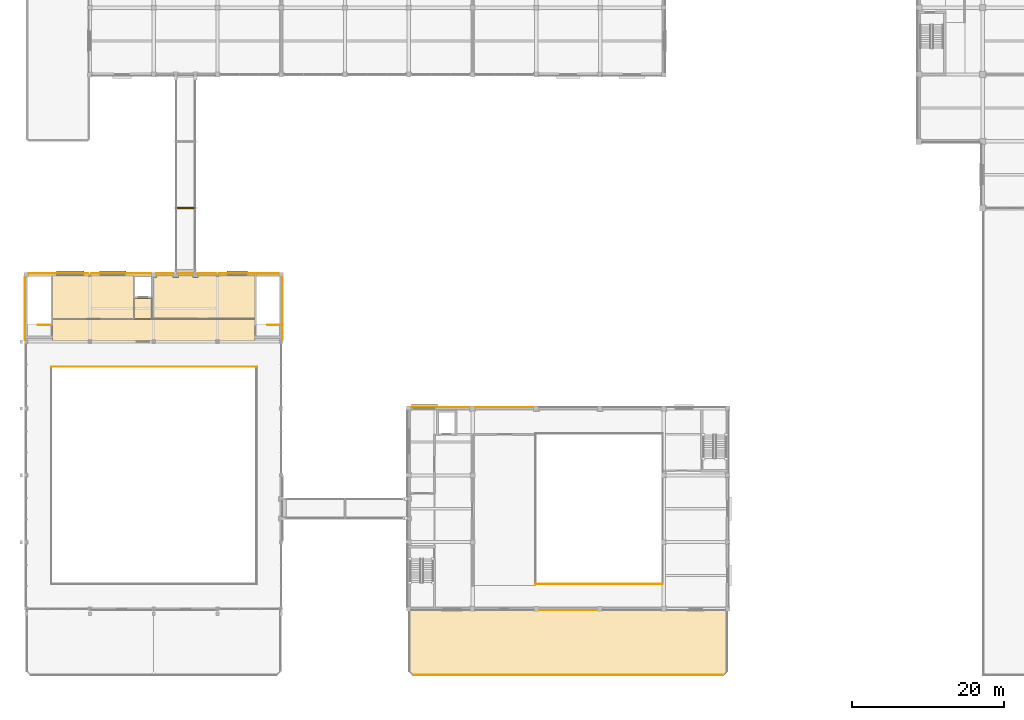
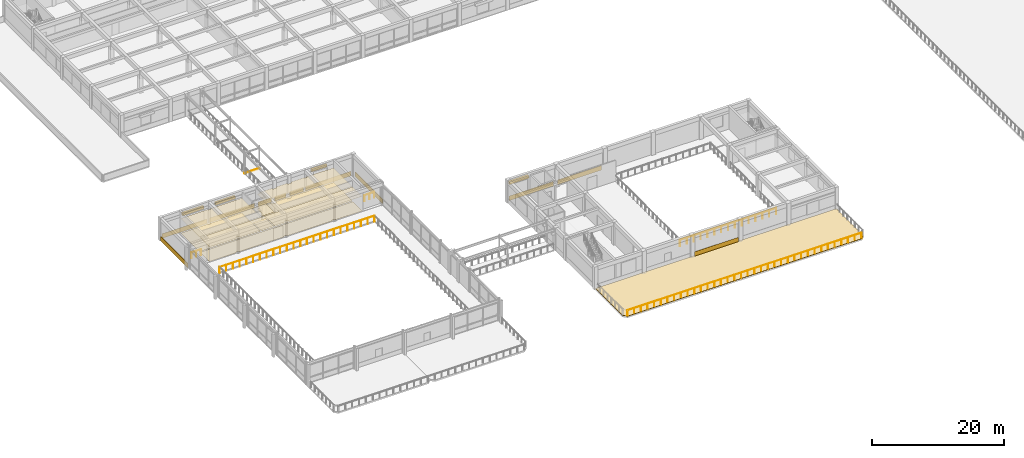
# One storey, part 46 of 57: 21 coverings, 5 railings, 4 shading devices.
"""IFC4 building model written with IfcOpenShell, lengths in metres."""

from ifc_helpers import new_model, si_unit, direction, frame, origin, origin_2d, place, context, subcontext, project, spatial, polyline, rectangle, circle, outline, extrude, material, layer, layer_set, type_object, element, save


model = new_model("IFC4")

# Units and contexts
model_context = context("Model", 3, precision=1e-05, world=origin(), true_north=direction((0.0, 1.0)))
body_context = subcontext(model_context, "Body", "Model", "MODEL_VIEW")
ifc_project = project(units=[si_unit("LENGTHUNIT", "METRE"), si_unit("AREAUNIT", "SQUARE_METRE"), si_unit("VOLUMEUNIT", "CUBIC_METRE"), si_unit("PLANEANGLEUNIT", "RADIAN"), si_unit("MASSUNIT", "GRAM", prefix="KILO")], contexts=[model_context])

# Site, building, storey
site_placement = place(None, origin())
site = spatial("IfcSite", under=ifc_project, at=site_placement, CompositionType="ELEMENT")
building_placement = place(site_placement, origin())
building = spatial("IfcBuilding", under=site, at=building_placement, Name="Kemercrest Conservatory and Botanical Centre", CompositionType="ELEMENT")
storey_placement = place(building_placement, frame((0.0, 0.0, 4.800048828125)))
storey = spatial("IfcBuildingStorey", under=building, at=storey_placement, Name="L01", CompositionType="ELEMENT", Elevation=4.800048828125)

# Coverings
ifc_material_1 = material(Name="Glazed turquoise ceramic tile spandrel", Category="masonry")
ifc_layer_1 = layer(ifc_material_1, 0.028076171875)
ifc_layer_set_1 = layer_set([ifc_layer_1], Name="Glazed turquoise ceramic tile spandrel")
covering_type_1 = type_object("IfcCoveringType", Name="CV-CLD028", PredefinedType="CLADDING", material=ifc_layer_set_1)
covering_1_placement = place(storey_placement, origin())
element("IfcCovering", 1, at=covering_1_placement, inside=storey, type_object=covering_type_1, Name="Exterior stone spandrel cladding (WAL:L01:EXT-039)", PredefinedType="CLADDING", context=body_context, shape_type="SweptSolid", body=[
    extrude(outline(polyline([(75.56005859375, 16.64990234375), (75.56005859375, 16.6220703125), (83.239990234375, 16.6220703125), (83.239990234375, 16.64990234375), (75.56005859375, 16.64990234375)])), origin(), (0.0, 0.0, 1.0), 0.849853515625),
])
covering_2_placement = place(storey_placement, origin())
element("IfcCovering", 2, at=covering_2_placement, inside=storey, type_object=covering_type_1, Name="Exterior stone spandrel cladding (WAL:L01:EXT-048)", PredefinedType="CLADDING", context=body_context, shape_type="SweptSolid", body=[
    extrude(outline(polyline([(74.840087890625, 43.35009765625), (74.840087890625, 43.3779296875), (67.159912109375, 43.3779296875), (67.159912109375, 43.35009765625), (74.840087890625, 43.35009765625)])), origin(), (0.0, 0.0, 1.0), 0.849853515625),
])
covering_3_placement = place(storey_placement, origin())
element("IfcCovering", 3, at=covering_3_placement, inside=storey, type_object=covering_type_1, Name="Exterior stone spandrel cladding (WAL:L01:EXT-049)", PredefinedType="CLADDING", context=body_context, shape_type="SweptSolid", body=[
    extrude(outline(polyline([(66.43994140625, 43.35009765625), (66.43994140625, 43.3779296875), (58.7099609375, 43.3779296875), (58.7099609375, 43.35009765625), (66.43994140625, 43.35009765625)])), origin(), (0.0, 0.0, 1.0), 0.849853515625),
])
ifc_material_2 = material(Name="Honed limestone almasik ashlar rainscreen", Category="masonry")
ifc_layer_2 = layer(ifc_material_2, 0.0400390625)
ifc_layer_set_2 = layer_set([ifc_layer_2], Name="Honed limestone almasik ashlar rainscreen")
covering_type_2 = type_object("IfcCoveringType", Name="CV-CLD040", PredefinedType="CLADDING", material=ifc_layer_set_2)
covering_4_placement = place(storey_placement, origin())
element("IfcCovering", 4, at=covering_4_placement, inside=storey, type_object=covering_type_2, Name="Exterior stone spandrel cladding (WAL:L01:EXT-015)", PredefinedType="CLADDING", context=body_context, shape_type="SweptSolid", body=[
    extrude(outline(polyline([(41.75, 52.213134765625), (41.7900390625, 52.213134765625), (41.7900390625, 60.489990234375), (41.75, 60.489990234375), (41.75, 52.213134765625)])), origin(), (0.0, 0.0, 1.0), 0.849853515625),
])
covering_5_placement = place(storey_placement, origin())
element("IfcCovering", 5, at=covering_5_placement, inside=storey, type_object=covering_type_2, Name="Exterior stone spandrel cladding (WAL:L01:EXT-016)", PredefinedType="CLADDING", context=body_context, shape_type="SweptSolid", body=[
    extrude(outline(polyline([(41.2900390625, 60.949951171875), (41.2900390625, 60.989990234375), (33.3916015625, 60.989990234375), (33.3916015625, 60.949951171875), (41.2900390625, 60.949951171875)])), origin(), (0.0, 0.0, 1.0), 0.849853515625),
])
covering_6_placement = place(storey_placement, origin())
element("IfcCovering", 6, at=covering_6_placement, inside=storey, type_object=covering_type_2, Name="Exterior stone spandrel cladding (WAL:L01:EXT-017-S1)", PredefinedType="CLADDING", context=body_context, shape_type="SweptSolid", body=[
    extrude(outline(polyline([(33.008544921875, 60.949951171875), (33.008544921875, 60.989990234375), (30.610107421875, 60.989990234375), (30.610107421875, 60.949951171875), (33.008544921875, 60.949951171875)])), origin(), (0.0, 0.0, 1.0), 0.849853515625),
])
covering_7_placement = place(storey_placement, origin())
element("IfcCovering", 7, at=covering_7_placement, inside=storey, type_object=covering_type_2, Name="Exterior stone spandrel cladding (WAL:L01:EXT-017-S2)", PredefinedType="CLADDING", context=body_context, shape_type="SweptSolid", body=[
    extrude(outline(polyline([(29.989990234375, 60.949951171875), (29.989990234375, 60.989990234375), (28.010009765625, 60.989990234375), (28.010009765625, 60.949951171875), (29.989990234375, 60.949951171875)])), origin(), (0.0, 0.0, 1.0), 0.849853515625),
])
covering_8_placement = place(storey_placement, origin())
element("IfcCovering", 8, at=covering_8_placement, inside=storey, type_object=covering_type_2, Name="Exterior stone spandrel cladding (WAL:L01:EXT-017-S3)", PredefinedType="CLADDING", context=body_context, shape_type="SweptSolid", body=[
    extrude(outline(polyline([(27.389892578125, 60.949951171875), (27.389892578125, 60.989990234375), (25.110107421875, 60.989990234375), (25.110107421875, 60.949951171875), (27.389892578125, 60.949951171875)])), origin(), (0.0, 0.0, 1.0), 0.849853515625),
])
covering_9_placement = place(storey_placement, origin())
element("IfcCovering", 9, at=covering_9_placement, inside=storey, type_object=covering_type_2, Name="Exterior stone spandrel cladding (WAL:L01:EXT-018)", PredefinedType="CLADDING", context=body_context, shape_type="SweptSolid", body=[
    extrude(outline(polyline([(24.489990234375, 60.949951171875), (24.489990234375, 60.989990234375), (16.591552734375, 60.989990234375), (16.591552734375, 60.949951171875), (24.489990234375, 60.949951171875)])), origin(), (0.0, 0.0, 1.0), 0.849853515625),
])
covering_10_placement = place(storey_placement, origin())
element("IfcCovering", 10, at=covering_10_placement, inside=storey, type_object=covering_type_2, Name="Exterior stone spandrel cladding (WAL:L01:EXT-019)", PredefinedType="CLADDING", context=body_context, shape_type="SweptSolid", body=[
    extrude(outline(polyline([(16.20849609375, 60.949951171875), (16.20849609375, 60.989990234375), (8.31005859375, 60.989990234375), (8.31005859375, 60.949951171875), (16.20849609375, 60.949951171875)])), origin(), (0.0, 0.0, 1.0), 0.849853515625),
])
covering_11_placement = place(storey_placement, origin())
element("IfcCovering", 11, at=covering_11_placement, inside=storey, type_object=covering_type_2, Name="Exterior stone spandrel cladding (WAL:L01:EXT-020)", PredefinedType="CLADDING", context=body_context, shape_type="SweptSolid", body=[
    extrude(outline(polyline([(7.85009765625, 60.489990234375), (7.81005859375, 60.489990234375), (7.81005859375, 52.213134765625), (7.85009765625, 52.213134765625), (7.85009765625, 60.489990234375)])), origin(), (0.0, 0.0, 1.0), 0.849853515625),
])
ifc_material_3 = material(Name="Perforated acoustic gypsum and mineral-fibre suspended ceiling", Category="gypsum")
ifc_layer_3 = layer(ifc_material_3, 0.034912109375)
ifc_layer_set_3 = layer_set([ifc_layer_3], Name="Perforated acoustic gypsum and mineral-fibre suspended ceiling")
covering_type_3 = type_object("IfcCoveringType", Name="CV-CLG035", PredefinedType="CEILING", material=ifc_layer_set_3)
covering_12_placement = place(storey_placement, frame((0.0, 0.0, 2.699951171875)))
element("IfcCovering", 12, at=covering_12_placement, inside=storey, type_object=covering_type_3, Name="Canopy Gallery Lift Lobby suspended acoustic ceiling", PredefinedType="CEILING", context=body_context, shape_type="SweptSolid", body=[
    extrude(outline(polyline([(33.443115234375, 52.080078125), (38.1201171875, 52.080078125), (38.1201171875, 54.919921875), (11.47998046875, 54.919921875), (11.47998046875, 52.080078125), (16.15673828125, 52.080078125), (16.15673828125, 52.2431640625), (16.643310546875, 52.2431640625), (16.643310546875, 52.080078125), (24.556884765625, 52.080078125), (24.556884765625, 52.2431640625), (25.043212890625, 52.2431640625), (25.043212890625, 52.080078125), (32.956787109375, 52.080078125), (32.956787109375, 52.2431640625), (33.443115234375, 52.2431640625), (33.443115234375, 52.080078125)])), origin(), (0.0, 0.0, 1.0), 0.034912109375),
])
covering_13_placement = place(storey_placement, frame((0.0, 0.0, 2.699951171875)))
element("IfcCovering", 13, at=covering_13_placement, inside=storey, type_object=covering_type_3, Name="Canopy Lift Alcove suspended acoustic ceiling", PredefinedType="CEILING", context=body_context, shape_type="SweptSolid", body=[
    extrude(outline(polyline([(22.280029296875, 55.080078125), (24.52001953125, 55.080078125), (24.52001953125, 57.719970703125), (22.280029296875, 57.719970703125), (22.280029296875, 55.080078125)])), origin(), (0.0, 0.0, 1.0), 0.034912109375),
])
covering_14_placement = place(storey_placement, frame((0.0, 0.0, 2.699951171875)))
element("IfcCovering", 14, at=covering_14_placement, inside=storey, type_object=covering_type_3, Name="Epiphyte Interpretation Gallery suspended acoustic ceiling", PredefinedType="CEILING", context=body_context, shape_type="SweptSolid", body=[
    extrude(outline(polyline([(11.47998046875, 55.080078125), (22.1201171875, 55.080078125), (22.1201171875, 60.719970703125), (16.568603515625, 60.719970703125), (16.568603515625, 60.57861328125), (16.2314453125, 60.57861328125), (16.2314453125, 60.719970703125), (11.47998046875, 60.719970703125), (11.47998046875, 55.080078125)])), origin(), (0.0, 0.0, 1.0), 0.034912109375),
])
covering_15_placement = place(storey_placement, frame((0.0, 0.0, 2.699951171875)))
element("IfcCovering", 15, at=covering_15_placement, inside=storey, type_object=covering_type_3, Name="Gallery Accessible Washroom suspended acoustic ceiling", PredefinedType="CEILING", context=body_context, shape_type="SweptSolid", body=[
    extrude(outline(polyline([(24.679931640625, 55.080078125), (38.1201171875, 55.080078125), (38.1201171875, 60.719970703125), (33.368408203125, 60.719970703125), (33.368408203125, 60.57861328125), (33.031494140625, 60.57861328125), (33.031494140625, 60.719970703125), (30.639892578125, 60.719970703125), (30.639892578125, 60.4599609375), (29.9599609375, 60.4599609375), (29.9599609375, 60.719970703125), (28.0400390625, 60.719970703125), (28.0400390625, 60.4599609375), (27.360107421875, 60.4599609375), (27.360107421875, 60.719970703125), (25.139892578125, 60.719970703125), (25.139892578125, 60.4599609375), (24.679931640625, 60.4599609375), (24.679931640625, 55.080078125)])), origin(), (0.0, 0.0, 1.0), 0.034912109375),
])
ifc_material_4 = material(Name="Polished limestone terrazzo and seamless laboratory epoxy flooring", Category="masonry")
ifc_layer_4 = layer(ifc_material_4, 0.02001953125)
ifc_layer_set_4 = layer_set([ifc_layer_4], Name="Polished limestone terrazzo and seamless laboratory epoxy flooring")
covering_type_4 = type_object("IfcCoveringType", Name="CV-FLR020", PredefinedType="FLOORING", material=ifc_layer_set_4)
covering_16_placement = place(storey_placement, origin())
element("IfcCovering", 16, at=covering_16_placement, inside=storey, type_object=covering_type_4, Name="Canopy Gallery Lift Lobby floor finish", PredefinedType="FLOORING", context=body_context, shape_type="SweptSolid", body=[
    extrude(outline(polyline([(33.443115234375, 52.080078125), (38.1201171875, 52.080078125), (38.1201171875, 54.919921875), (11.47998046875, 54.919921875), (11.47998046875, 52.080078125), (16.15673828125, 52.080078125), (16.15673828125, 52.2431640625), (16.643310546875, 52.2431640625), (16.643310546875, 52.080078125), (24.556884765625, 52.080078125), (24.556884765625, 52.2431640625), (25.043212890625, 52.2431640625), (25.043212890625, 52.080078125), (32.956787109375, 52.080078125), (32.956787109375, 52.2431640625), (33.443115234375, 52.2431640625), (33.443115234375, 52.080078125)])), origin(), (0.0, 0.0, 1.0), 0.02001953125),
])
covering_17_placement = place(storey_placement, origin())
element("IfcCovering", 17, at=covering_17_placement, inside=storey, type_object=covering_type_4, Name="Canopy Lift Alcove floor finish", PredefinedType="FLOORING", context=body_context, shape_type="SweptSolid", body=[
    extrude(outline(polyline([(22.280029296875, 55.080078125), (24.52001953125, 55.080078125), (24.52001953125, 57.719970703125), (22.280029296875, 57.719970703125), (22.280029296875, 55.080078125)])), origin(), (0.0, 0.0, 1.0), 0.02001953125),
])
covering_18_placement = place(storey_placement, origin())
element("IfcCovering", 18, at=covering_18_placement, inside=storey, type_object=covering_type_4, Name="Epiphyte Interpretation Gallery floor finish", PredefinedType="FLOORING", context=body_context, shape_type="SweptSolid", body=[
    extrude(outline(polyline([(11.47998046875, 55.080078125), (22.1201171875, 55.080078125), (22.1201171875, 60.719970703125), (16.568603515625, 60.719970703125), (16.568603515625, 60.57861328125), (16.2314453125, 60.57861328125), (16.2314453125, 60.719970703125), (11.47998046875, 60.719970703125), (11.47998046875, 55.080078125)])), origin(), (0.0, 0.0, 1.0), 0.02001953125),
])
covering_19_placement = place(storey_placement, origin())
element("IfcCovering", 19, at=covering_19_placement, inside=storey, type_object=covering_type_4, Name="Gallery Accessible Washroom floor finish", PredefinedType="FLOORING", context=body_context, shape_type="SweptSolid", body=[
    extrude(outline(polyline([(24.679931640625, 55.080078125), (38.1201171875, 55.080078125), (38.1201171875, 60.719970703125), (33.368408203125, 60.719970703125), (33.368408203125, 60.57861328125), (33.031494140625, 60.57861328125), (33.031494140625, 60.719970703125), (30.639892578125, 60.719970703125), (30.639892578125, 60.4599609375), (29.9599609375, 60.4599609375), (29.9599609375, 60.719970703125), (28.0400390625, 60.719970703125), (28.0400390625, 60.4599609375), (27.360107421875, 60.4599609375), (27.360107421875, 60.719970703125), (25.139892578125, 60.719970703125), (25.139892578125, 60.4599609375), (24.679931640625, 60.4599609375), (24.679931640625, 55.080078125)])), origin(), (0.0, 0.0, 1.0), 0.02001953125),
])
covering_20_placement = place(storey_placement, frame((0.0, 0.0, -0.02001953125)))
element("IfcCovering", 20, at=covering_20_placement, inside=storey, type_object=covering_type_4, Name="Seismic bridge SJ-2 architectural floor slide plate", PredefinedType="FLOORING", context=body_context, shape_type="SweptSolid", body=[
    extrude(outline(polyline([(27.699951171875, 69.5), (30.300048828125, 69.5), (30.300048828125, 69.699951171875), (27.699951171875, 69.699951171875), (27.699951171875, 69.5)])), origin(), (0.0, 0.0, 1.0), 0.02001953125),
])
ifc_material_5 = material(Name="SBS modified bitumen insulated roofing membrane", Category="roofing")
ifc_layer_5 = layer(ifc_material_5, 0.06005859375)
ifc_layer_set_5 = layer_set([ifc_layer_5], Name="SBS modified bitumen insulated roofing membrane")
covering_type_5 = type_object("IfcCoveringType", Name="CV-RFG060", PredefinedType="ROOFING", material=ifc_layer_set_5)
covering_21_placement = place(storey_placement, origin())
element("IfcCovering", 21, at=covering_21_placement, inside=storey, type_object=covering_type_5, Name="Insulated roof membrane covering (V2 Auditorium Harbour Loggia Terrace)", PredefinedType="ROOFING", context=body_context, shape_type="SweptSolid", body=[
    extrude(outline(polyline([(58.949951171875, 8.0), (99.85009765625, 8.0), (100.39990234375, 8.550048828125), (100.39990234375, 16.800048828125), (58.39990234375, 16.800048828125), (58.39990234375, 8.550048828125), (58.949951171875, 8.0)])), origin(), (0.0, 0.0, 1.0), 0.06005859375),
])

# Railings
ifc_material_6 = material(Name="Painted galvanized steel tubular stair guardrail", Category="steel")
railing_type_1 = type_object("IfcRailingType", Name="GR-STR110", PredefinedType="GUARDRAIL", material=ifc_material_6)
for number, where, name in (
    (22, (11.239990234375, 54.18994140625, 0.0), "L01 ST-V1A top well guard 1"),
    (23, (41.43994140625, 54.18994140625, 0.0), "L01 ST-V1B top well guard 1"),
):
    element("IfcRailing", number, at=place(storey_placement, frame(where)), inside=storey, type_object=railing_type_1, Name=name, PredefinedType="GUARDRAIL", context=body_context, shape_type="SweptSolid", body=[
        extrude(circle(Radius=0.02392578125, at=origin_2d()), frame((0.0, 0.0, 1.076171875), z_axis=(-1.0, 0.0, 0.0), x_axis=(0.0, -1.0, 0.0)), (0.0, 0.0, 1.0), 1.679931640625),
        extrude(circle(Radius=0.02099609375, at=origin_2d()), origin(), (0.0, 0.0, 1.0), 1.052001953125),
        extrude(circle(Radius=0.02099609375, at=origin_2d()), frame((-0.83984375, 0.0, 0.0)), (0.0, 0.0, 1.0), 1.052001953125),
        extrude(circle(Radius=0.02099609375, at=origin_2d()), frame((-1.679931640625, 0.0, 0.0)), (0.0, 0.0, 1.0), 1.052001953125),
    ])
ifc_material_7 = material(Name="Architectural bronze-anodized steel balustrade", Category="steel")
railing_type_2 = type_object("IfcRailingType", Name="GR-TER110", PredefinedType="GUARDRAIL", material=ifc_material_7)
railing_1_placement = place(storey_placement, frame((59.0, 8.10009765625, 0.0)))
element("IfcRailing", 24, at=railing_1_placement, inside=storey, type_object=railing_type_2, Name="Safety guardrail GR-TER110 (V2-COL-3)", PredefinedType="GUARDRAIL", context=body_context, shape_type="SweptSolid", body=[
    extrude(circle(Radius=0.02392578125, at=origin_2d()), frame((0.0, 0.0, 1.076171875), z_axis=(1.0, 0.0, 0.0), x_axis=(0.0, 1.0, 0.0)), (0.0, 0.0, 1.0), 40.800048828125),
    extrude(circle(Radius=0.02099609375, at=origin_2d()), origin(), (0.0, 0.0, 1.0), 1.052001953125),
    extrude(circle(Radius=0.02099609375, at=origin_2d()), frame((1.165771484375, 0.0, 0.0)), (0.0, 0.0, 1.0), 1.052001953125),
    extrude(circle(Radius=0.02099609375, at=origin_2d()), frame((2.33154296875, 0.0, 0.0)), (0.0, 0.0, 1.0), 1.052001953125),
    extrude(circle(Radius=0.02099609375, at=origin_2d()), frame((3.4970703125, 0.0, 0.0)), (0.0, 0.0, 1.0), 1.052001953125),
    extrude(circle(Radius=0.02099609375, at=origin_2d()), frame((4.662841796875, 0.0, 0.0)), (0.0, 0.0, 1.0), 1.052001953125),
    extrude(circle(Radius=0.02099609375, at=origin_2d()), frame((5.82861328125, 0.0, 0.0)), (0.0, 0.0, 1.0), 1.052001953125),
    extrude(circle(Radius=0.02099609375, at=origin_2d()), frame((6.994384765625, 0.0, 0.0)), (0.0, 0.0, 1.0), 1.052001953125),
    extrude(circle(Radius=0.02099609375, at=origin_2d()), frame((8.159912109375, 0.0, 0.0)), (0.0, 0.0, 1.0), 1.052001953125),
    extrude(circle(Radius=0.02099609375, at=origin_2d()), frame((9.32568359375, 0.0, 0.0)), (0.0, 0.0, 1.0), 1.052001953125),
    extrude(circle(Radius=0.02099609375, at=origin_2d()), frame((10.491455078125, 0.0, 0.0)), (0.0, 0.0, 1.0), 1.052001953125),
    extrude(circle(Radius=0.02099609375, at=origin_2d()), frame((11.6572265625, 0.0, 0.0)), (0.0, 0.0, 1.0), 1.052001953125),
    extrude(circle(Radius=0.02099609375, at=origin_2d()), frame((12.82275390625, 0.0, 0.0)), (0.0, 0.0, 1.0), 1.052001953125),
    extrude(circle(Radius=0.02099609375, at=origin_2d()), frame((13.988525390625, 0.0, 0.0)), (0.0, 0.0, 1.0), 1.052001953125),
    extrude(circle(Radius=0.02099609375, at=origin_2d()), frame((15.154296875, 0.0, 0.0)), (0.0, 0.0, 1.0), 1.052001953125),
    extrude(circle(Radius=0.02099609375, at=origin_2d()), frame((16.320068359375, 0.0, 0.0)), (0.0, 0.0, 1.0), 1.052001953125),
    extrude(circle(Radius=0.02099609375, at=origin_2d()), frame((17.48583984375, 0.0, 0.0)), (0.0, 0.0, 1.0), 1.052001953125),
    extrude(circle(Radius=0.02099609375, at=origin_2d()), frame((18.6513671875, 0.0, 0.0)), (0.0, 0.0, 1.0), 1.052001953125),
    extrude(circle(Radius=0.02099609375, at=origin_2d()), frame((19.817138671875, 0.0, 0.0)), (0.0, 0.0, 1.0), 1.052001953125),
    extrude(circle(Radius=0.02099609375, at=origin_2d()), frame((20.98291015625, 0.0, 0.0)), (0.0, 0.0, 1.0), 1.052001953125),
    extrude(circle(Radius=0.02099609375, at=origin_2d()), frame((22.148681640625, 0.0, 0.0)), (0.0, 0.0, 1.0), 1.052001953125),
    extrude(circle(Radius=0.02099609375, at=origin_2d()), frame((23.314208984375, 0.0, 0.0)), (0.0, 0.0, 1.0), 1.052001953125),
    extrude(circle(Radius=0.02099609375, at=origin_2d()), frame((24.47998046875, 0.0, 0.0)), (0.0, 0.0, 1.0), 1.052001953125),
    extrude(circle(Radius=0.02099609375, at=origin_2d()), frame((25.645751953125, 0.0, 0.0)), (0.0, 0.0, 1.0), 1.052001953125),
    extrude(circle(Radius=0.02099609375, at=origin_2d()), frame((26.8115234375, 0.0, 0.0)), (0.0, 0.0, 1.0), 1.052001953125),
    extrude(circle(Radius=0.02099609375, at=origin_2d()), frame((27.977294921875, 0.0, 0.0)), (0.0, 0.0, 1.0), 1.052001953125),
    extrude(circle(Radius=0.02099609375, at=origin_2d()), frame((29.142822265625, 0.0, 0.0)), (0.0, 0.0, 1.0), 1.052001953125),
    extrude(circle(Radius=0.02099609375, at=origin_2d()), frame((30.30859375, 0.0, 0.0)), (0.0, 0.0, 1.0), 1.052001953125),
    extrude(circle(Radius=0.02099609375, at=origin_2d()), frame((31.474365234375, 0.0, 0.0)), (0.0, 0.0, 1.0), 1.052001953125),
    extrude(circle(Radius=0.02099609375, at=origin_2d()), frame((32.64013671875, 0.0, 0.0)), (0.0, 0.0, 1.0), 1.052001953125),
    extrude(circle(Radius=0.02099609375, at=origin_2d()), frame((33.8056640625, 0.0, 0.0)), (0.0, 0.0, 1.0), 1.052001953125),
    extrude(circle(Radius=0.02099609375, at=origin_2d()), frame((34.971435546875, 0.0, 0.0)), (0.0, 0.0, 1.0), 1.052001953125),
    extrude(circle(Radius=0.02099609375, at=origin_2d()), frame((36.13720703125, 0.0, 0.0)), (0.0, 0.0, 1.0), 1.052001953125),
    extrude(circle(Radius=0.02099609375, at=origin_2d()), frame((37.302978515625, 0.0, 0.0)), (0.0, 0.0, 1.0), 1.052001953125),
    extrude(circle(Radius=0.02099609375, at=origin_2d()), frame((38.468505859375, 0.0, 0.0)), (0.0, 0.0, 1.0), 1.052001953125),
    extrude(circle(Radius=0.02099609375, at=origin_2d()), frame((39.63427734375, 0.0, 0.0)), (0.0, 0.0, 1.0), 1.052001953125),
    extrude(circle(Radius=0.02099609375, at=origin_2d()), frame((40.800048828125, 0.0, 0.0)), (0.0, 0.0, 1.0), 1.052001953125),
])
railing_type_3 = type_object("IfcRailingType", Name="GR-VOI115", PredefinedType="GUARDRAIL", material=ifc_material_7)
railing_2_placement = place(storey_placement, frame((38.300048828125, 48.699951171875, 0.0)))
element("IfcRailing", 25, at=railing_2_placement, inside=storey, type_object=railing_type_3, Name="Safety guardrail GR-VOI115 (V1-CANOPY-3)", PredefinedType="GUARDRAIL", context=body_context, shape_type="SweptSolid", body=[
    extrude(circle(Radius=0.02392578125, at=origin_2d()), frame((0.0, 0.0, 1.1259765625), z_axis=(-1.0, 0.0, 0.0), x_axis=(0.0, -1.0, 0.0)), (0.0, 0.0, 1.0), 27.0),
    extrude(circle(Radius=0.02099609375, at=origin_2d()), origin(), (0.0, 0.0, 1.0), 1.101806640625),
    extrude(circle(Radius=0.02099609375, at=origin_2d()), frame((-1.173828125, 0.0, 0.0)), (0.0, 0.0, 1.0), 1.101806640625),
    extrude(circle(Radius=0.02099609375, at=origin_2d()), frame((-2.347900390625, 0.0, 0.0)), (0.0, 0.0, 1.0), 1.101806640625),
    extrude(circle(Radius=0.02099609375, at=origin_2d()), frame((-3.521728515625, 0.0, 0.0)), (0.0, 0.0, 1.0), 1.101806640625),
    extrude(circle(Radius=0.02099609375, at=origin_2d()), frame((-4.695556640625, 0.0, 0.0)), (0.0, 0.0, 1.0), 1.101806640625),
    extrude(circle(Radius=0.02099609375, at=origin_2d()), frame((-5.86962890625, 0.0, 0.0)), (0.0, 0.0, 1.0), 1.101806640625),
    extrude(circle(Radius=0.02099609375, at=origin_2d()), frame((-7.04345703125, 0.0, 0.0)), (0.0, 0.0, 1.0), 1.101806640625),
    extrude(circle(Radius=0.02099609375, at=origin_2d()), frame((-8.21728515625, 0.0, 0.0)), (0.0, 0.0, 1.0), 1.101806640625),
    extrude(circle(Radius=0.02099609375, at=origin_2d()), frame((-9.391357421875, 0.0, 0.0)), (0.0, 0.0, 1.0), 1.101806640625),
    extrude(circle(Radius=0.02099609375, at=origin_2d()), frame((-10.565185546875, 0.0, 0.0)), (0.0, 0.0, 1.0), 1.101806640625),
    extrude(circle(Radius=0.02099609375, at=origin_2d()), frame((-11.739013671875, 0.0, 0.0)), (0.0, 0.0, 1.0), 1.101806640625),
    extrude(circle(Radius=0.02099609375, at=origin_2d()), frame((-12.9130859375, 0.0, 0.0)), (0.0, 0.0, 1.0), 1.101806640625),
    extrude(circle(Radius=0.02099609375, at=origin_2d()), frame((-14.0869140625, 0.0, 0.0)), (0.0, 0.0, 1.0), 1.101806640625),
    extrude(circle(Radius=0.02099609375, at=origin_2d()), frame((-15.260986328125, 0.0, 0.0)), (0.0, 0.0, 1.0), 1.101806640625),
    extrude(circle(Radius=0.02099609375, at=origin_2d()), frame((-16.434814453125, 0.0, 0.0)), (0.0, 0.0, 1.0), 1.101806640625),
    extrude(circle(Radius=0.02099609375, at=origin_2d()), frame((-17.608642578125, 0.0, 0.0)), (0.0, 0.0, 1.0), 1.101806640625),
    extrude(circle(Radius=0.02099609375, at=origin_2d()), frame((-18.78271484375, 0.0, 0.0)), (0.0, 0.0, 1.0), 1.101806640625),
    extrude(circle(Radius=0.02099609375, at=origin_2d()), frame((-19.95654296875, 0.0, 0.0)), (0.0, 0.0, 1.0), 1.101806640625),
    extrude(circle(Radius=0.02099609375, at=origin_2d()), frame((-21.13037109375, 0.0, 0.0)), (0.0, 0.0, 1.0), 1.101806640625),
    extrude(circle(Radius=0.02099609375, at=origin_2d()), frame((-22.304443359375, 0.0, 0.0)), (0.0, 0.0, 1.0), 1.101806640625),
    extrude(circle(Radius=0.02099609375, at=origin_2d()), frame((-23.478271484375, 0.0, 0.0)), (0.0, 0.0, 1.0), 1.101806640625),
    extrude(circle(Radius=0.02099609375, at=origin_2d()), frame((-24.652099609375, 0.0, 0.0)), (0.0, 0.0, 1.0), 1.101806640625),
    extrude(circle(Radius=0.02099609375, at=origin_2d()), frame((-25.826171875, 0.0, 0.0)), (0.0, 0.0, 1.0), 1.101806640625),
    extrude(circle(Radius=0.02099609375, at=origin_2d()), frame((-27.0, 0.0, 0.0)), (0.0, 0.0, 1.0), 1.101806640625),
])
railing_3_placement = place(storey_placement, frame((91.85009765625, 20.10009765625, 0.0)))
element("IfcRailing", 26, at=railing_3_placement, inside=storey, type_object=railing_type_3, Name="Safety guardrail GR-VOI115 (V2-BALC-1)", PredefinedType="GUARDRAIL", context=body_context, shape_type="SweptSolid", body=[
    extrude(circle(Radius=0.02392578125, at=origin_2d()), frame((0.0, 0.0, 1.1259765625), z_axis=(-1.0, 0.0, 0.0), x_axis=(0.0, -1.0, 0.0)), (0.0, 0.0, 1.0), 16.75),
    extrude(circle(Radius=0.02099609375, at=origin_2d()), origin(), (0.0, 0.0, 1.0), 1.101806640625),
    extrude(circle(Radius=0.02099609375, at=origin_2d()), frame((-1.196533203125, 0.0, 0.0)), (0.0, 0.0, 1.0), 1.101806640625),
    extrude(circle(Radius=0.02099609375, at=origin_2d()), frame((-2.392822265625, 0.0, 0.0)), (0.0, 0.0, 1.0), 1.101806640625),
    extrude(circle(Radius=0.02099609375, at=origin_2d()), frame((-3.58935546875, 0.0, 0.0)), (0.0, 0.0, 1.0), 1.101806640625),
    extrude(circle(Radius=0.02099609375, at=origin_2d()), frame((-4.78564453125, 0.0, 0.0)), (0.0, 0.0, 1.0), 1.101806640625),
    extrude(circle(Radius=0.02099609375, at=origin_2d()), frame((-5.982177734375, 0.0, 0.0)), (0.0, 0.0, 1.0), 1.101806640625),
    extrude(circle(Radius=0.02099609375, at=origin_2d()), frame((-7.178466796875, 0.0, 0.0)), (0.0, 0.0, 1.0), 1.101806640625),
    extrude(circle(Radius=0.02099609375, at=origin_2d()), frame((-8.375, 0.0, 0.0)), (0.0, 0.0, 1.0), 1.101806640625),
    extrude(circle(Radius=0.02099609375, at=origin_2d()), frame((-9.571533203125, 0.0, 0.0)), (0.0, 0.0, 1.0), 1.101806640625),
    extrude(circle(Radius=0.02099609375, at=origin_2d()), frame((-10.767822265625, 0.0, 0.0)), (0.0, 0.0, 1.0), 1.101806640625),
    extrude(circle(Radius=0.02099609375, at=origin_2d()), frame((-11.96435546875, 0.0, 0.0)), (0.0, 0.0, 1.0), 1.101806640625),
    extrude(circle(Radius=0.02099609375, at=origin_2d()), frame((-13.16064453125, 0.0, 0.0)), (0.0, 0.0, 1.0), 1.101806640625),
    extrude(circle(Radius=0.02099609375, at=origin_2d()), frame((-14.357177734375, 0.0, 0.0)), (0.0, 0.0, 1.0), 1.101806640625),
    extrude(circle(Radius=0.02099609375, at=origin_2d()), frame((-15.553466796875, 0.0, 0.0)), (0.0, 0.0, 1.0), 1.101806640625),
    extrude(circle(Radius=0.02099609375, at=origin_2d()), frame((-16.75, 0.0, 0.0)), (0.0, 0.0, 1.0), 1.101806640625),
])

# Shading devices
ifc_material_8 = material(Name="Architectural bronze-anodized extruded aluminium", Category="aluminium")
shading_device_type_1 = type_object("IfcShadingDeviceType", Name="SH-JL02", PredefinedType="JALOUSIE", material=ifc_material_8)
shading_device_1_placement = place(storey_placement, frame((35.7958984375, 61.123046875, 3.10498046875), z_axis=(0.0, 0.0, 1.0), x_axis=(-1.0, 0.0, 0.0)))
element("IfcShadingDevice", 27, at=shading_device_1_placement, inside=storey, type_object=shading_device_type_1, Name="Solar control louvre visor SH-JL02 (WIN:L01:EXT-016)", PredefinedType="JALOUSIE", context=body_context, shape_type="SweptSolid", body=[
    extrude(rectangle(XDim=2.679931640625, YDim=0.35009765625, at=origin_2d()), origin(), (0.0, 0.0, 1.0), 0.449951171875),
])
shading_device_type_2 = type_object("IfcShadingDeviceType", Name="SH-JL04", PredefinedType="JALOUSIE", material=ifc_material_8)
shading_device_2_placement = place(storey_placement, frame((19.395751953125, 61.123046875, 2.829833984375), z_axis=(0.0, 0.0, 1.0), x_axis=(-1.0, 0.0, 0.0)))
element("IfcShadingDevice", 28, at=shading_device_2_placement, inside=storey, type_object=shading_device_type_2, Name="Solar control louvre visor SH-JL04 (WIN:L01:EXT-018)", PredefinedType="JALOUSIE", context=body_context, shape_type="SweptSolid", body=[
    extrude(rectangle(XDim=3.47998046875, YDim=0.35009765625, at=origin_2d()), origin(), (0.0, 0.0, 1.0), 0.5),
])
shading_device_type_3 = type_object("IfcShadingDeviceType", Name="SH-JL05", PredefinedType="JALOUSIE", material=ifc_material_8)
shading_device_3_placement = place(storey_placement, frame((13.80419921875, 61.123046875, 2.8798828125), z_axis=(0.0, 0.0, 1.0), x_axis=(-1.0, 0.0, 0.0)))
element("IfcShadingDevice", 29, at=shading_device_3_placement, inside=storey, type_object=shading_device_type_3, Name="Solar control louvre visor SH-JL05 (WIN:L01:EXT-019)", PredefinedType="JALOUSIE", context=body_context, shape_type="SweptSolid", body=[
    extrude(rectangle(XDim=3.679931640625, YDim=0.35009765625, at=origin_2d()), origin(), (0.0, 0.0, 1.0), 0.5),
])
shading_device_4_placement = place(storey_placement, frame((60.455078125, 43.52294921875, 2.929931640625), z_axis=(0.0, 0.0, 1.0), x_axis=(-1.0, 0.0, 0.0)))
element("IfcShadingDevice", 30, at=shading_device_4_placement, inside=storey, type_object=shading_device_type_3, Name="Solar control louvre visor SH-JL05 (WIN:L01:EXT-049)", PredefinedType="JALOUSIE", context=body_context, shape_type="SweptSolid", body=[
    extrude(rectangle(XDim=3.39990234375, YDim=0.35009765625, at=origin_2d()), origin(), (0.0, 0.0, 1.0), 0.5),
])

save(model, "model.ifc")
